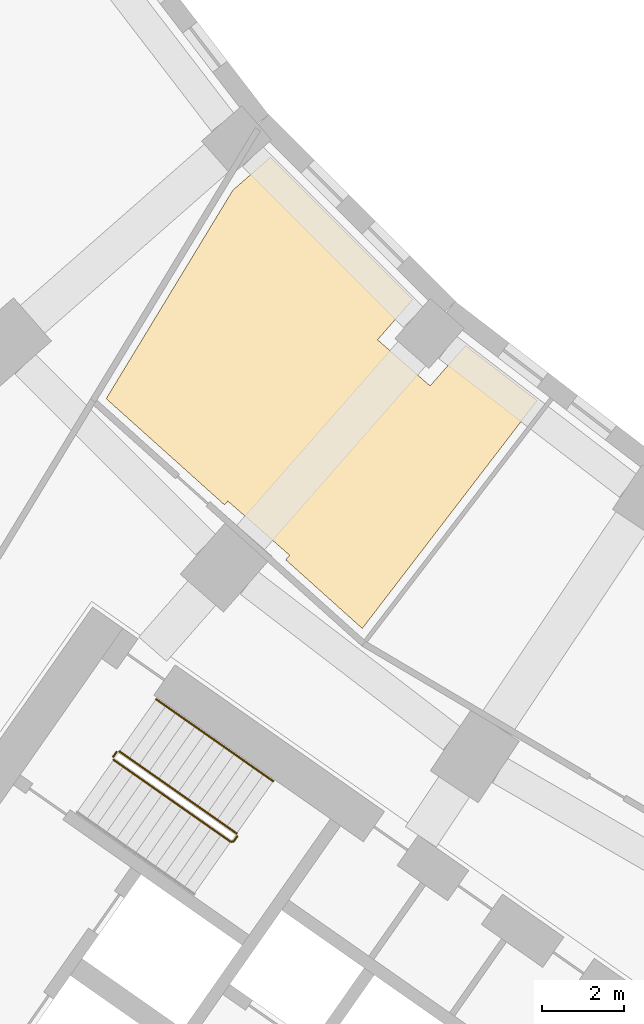
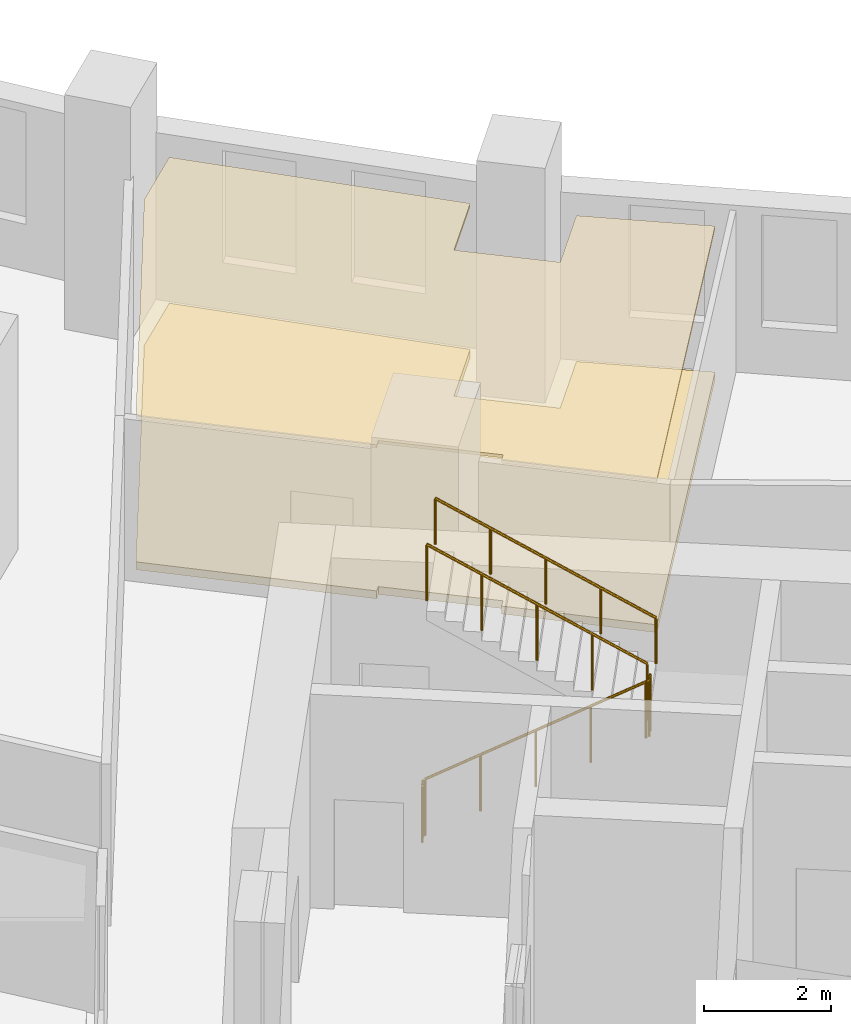
# One storey, part 17 of 20: 4 railings, 2 coverings.
"""IFC4 building model written with IfcOpenShell, lengths in metres."""

from ifc_helpers import new_model, si_unit, direction, frame, origin, origin_2d, place, context, subcontext, project, spatial, polyline, circle, outline, extrude, material, layer, layer_set, type_object, element, save


model = new_model("IFC4")

# Units and contexts
model_context = context("Model", 3, precision=1e-05, world=origin(), true_north=direction((0.0, 1.0)))
body_context = subcontext(model_context, "Body", "Model", "MODEL_VIEW")
ifc_project = project(units=[si_unit("LENGTHUNIT", "METRE"), si_unit("AREAUNIT", "SQUARE_METRE"), si_unit("VOLUMEUNIT", "CUBIC_METRE"), si_unit("PLANEANGLEUNIT", "RADIAN"), si_unit("MASSUNIT", "GRAM", prefix="KILO")], contexts=[model_context])

# Site, building, storey
site_placement = place(None, origin())
site = spatial("IfcSite", under=ifc_project, at=site_placement, CompositionType="ELEMENT")
building_placement = place(site_placement, origin())
building = spatial("IfcBuilding", under=site, at=building_placement, Name="Qamariyya Broadcast Tower", CompositionType="ELEMENT")
storey_placement = place(building_placement, frame((0.0, 0.0, 31.5)))
storey = spatial("IfcBuildingStorey", under=building, at=storey_placement, Name="L04", CompositionType="ELEMENT", Elevation=31.5)

# Covering
ifc_material_1 = material(Name="Raised access floor")
ifc_layer_1 = layer(ifc_material_1, 0.14990234375)
ifc_layer_set_1 = layer_set([ifc_layer_1], Name="Raised access floor 150")
covering_type_1 = type_object("IfcCoveringType", Name="Raised access floor 150", PredefinedType="FLOORING", material=ifc_layer_set_1)
covering_1_placement = place(storey_placement, origin())
element("IfcCovering", 1, at=covering_1_placement, inside=storey, type_object=covering_type_1, Name="Flooring L04-F08", PredefinedType="FLOORING", context=body_context, shape_type="SweptSolid", body=[
    extrude(outline(polyline([(-41.32666015625, -39.741943359375), (-38.247802734375, -34.6728515625), (-37.3291015625, -33.867431640625), (-33.867431640625, -37.3291015625), (-34.727294921875, -38.3095703125), (-33.44921875, -39.4306640625), (-32.589111328125, -38.449951171875), (-30.845458984375, -39.7880859375), (-35.0986328125, -45.330810546875), (-36.95947265625, -43.660888671875), (-36.86376953125, -43.5517578125), (-38.367431640625, -42.233154296875), (-38.4482421875, -42.324951171875), (-41.32666015625, -39.741943359375)])), origin(), (0.0, 0.0, 1.0), 0.14990234375),
])

# Railings
ifc_material_2 = material(Name="Painted steel", Category="steel")
railing_type_1 = type_object("IfcRailingType", Name="Stair guard", PredefinedType="GUARDRAIL", material=ifc_material_2)
railing_1_placement = place(storey_placement, frame((-41.146728515625, -48.52490234375, 0.173095703125)))
element("IfcRailing", 2, at=railing_1_placement, inside=storey, type_object=railing_type_1, Name="L04 ST-W2 stair guard 1", PredefinedType="GUARDRAIL", context=body_context, shape_type="SweptSolid", body=[
    extrude(circle(Radius=0.02392578125, at=origin_2d()), frame((0.0, 0.0, 1.076171875), z_axis=(0.703423072377, -0.49252265477, 0.512462111562), x_axis=(0.573561211868, 0.819162704376, 0.0)), (0.0, 0.0, 1.0), 4.052734375),
    extrude(circle(Radius=0.02392578125, at=origin_2d()), frame((2.850830078125, -1.99609375, 3.15283203125), z_axis=(0.984363469884, 0.176149252506, 0.0), x_axis=(-0.176149252506, 0.984363469884, 0.0)), (0.0, 0.0, 1.0), 0.07080078125),
    extrude(circle(Radius=0.02392578125, at=origin_2d()), frame((2.92041015625, -1.983642578125, 3.15283203125), z_axis=(0.573353020881, 0.819308436089, 0.0), x_axis=(-0.819308436089, 0.573353020881, 0.0)), (0.0, 0.0, 1.0), 0.14990234375),
    extrude(circle(Radius=0.02099609375, at=origin_2d()), origin(), (0.0, 0.0, 1.0), 1.052001953125),
    extrude(circle(Radius=0.02099609375, at=origin_2d()), frame((0.712646484375, -0.4990234375, 0.519287109375)), (0.0, 0.0, 1.0), 1.052001953125),
    extrude(circle(Radius=0.02099609375, at=origin_2d()), frame((1.42529296875, -0.998046875, 1.03857421875)), (0.0, 0.0, 1.0), 1.052001953125),
    extrude(circle(Radius=0.02099609375, at=origin_2d()), frame((2.13818359375, -1.4970703125, 1.5576171875)), (0.0, 0.0, 1.0), 1.052001953125),
    extrude(circle(Radius=0.02099609375, at=origin_2d()), frame((2.850830078125, -1.99609375, 2.076904296875)), (0.0, 0.0, 1.0), 1.052001953125),
    extrude(circle(Radius=0.02099609375, at=origin_2d()), frame((2.92041015625, -1.983642578125, 2.076904296875)), (0.0, 0.0, 1.0), 1.052001953125),
    extrude(circle(Radius=0.02099609375, at=origin_2d()), frame((3.00634765625, -1.86083984375, 2.076904296875)), (0.0, 0.0, 1.0), 1.052001953125),
])
railing_2_placement = place(storey_placement, frame((-38.152587890625, -50.316162109375, 2.423095703125)))
element("IfcRailing", 3, at=railing_2_placement, inside=storey, type_object=railing_type_1, Name="L04 ST-W2 stair guard 2", PredefinedType="GUARDRAIL", context=body_context, shape_type="SweptSolid", body=[
    extrude(circle(Radius=0.02392578125, at=origin_2d()), frame((0.0, 0.0, 1.076171875), z_axis=(-0.703392637411, 0.492543525477, 0.512483827206), x_axis=(-0.573594173421, -0.819139624372, 0.0)), (0.0, 0.0, 1.0), 4.052734375),
    extrude(circle(Radius=0.02099609375, at=origin_2d()), origin(), (0.0, 0.0, 1.0), 1.052001953125),
    extrude(circle(Radius=0.02099609375, at=origin_2d()), frame((-0.712646484375, 0.4990234375, 0.519287109375)), (0.0, 0.0, 1.0), 1.052001953125),
    extrude(circle(Radius=0.02099609375, at=origin_2d()), frame((-1.42529296875, 0.998046875, 1.03857421875)), (0.0, 0.0, 1.0), 1.052001953125),
    extrude(circle(Radius=0.02099609375, at=origin_2d()), frame((-2.137939453125, 1.4970703125, 1.5576171875)), (0.0, 0.0, 1.0), 1.052001953125),
    extrude(circle(Radius=0.02099609375, at=origin_2d()), frame((-2.8505859375, 1.99609375, 2.076904296875)), (0.0, 0.0, 1.0), 1.052001953125),
])
railing_3_placement = place(storey_placement, frame((-41.158935546875, -48.455322265625, 0.0)))
element("IfcRailing", 4, at=railing_3_placement, inside=storey, type_object=railing_type_1, Name="L04 ST-W2 stair guard 3", PredefinedType="GUARDRAIL", context=body_context, shape_type="SweptSolid", body=[
    extrude(circle(Radius=0.02392578125, at=origin_2d()), frame((0.0, 0.0, 1.076171875), z_axis=(0.572588637393, 0.819842821722, 0.0), x_axis=(-0.819842821722, 0.572588637393, 0.0)), (0.0, 0.0, 1.0), 0.150146484375),
    extrude(circle(Radius=0.02099609375, at=origin_2d()), origin(), (0.0, 0.0, 1.0), 1.052001953125),
    extrude(circle(Radius=0.02099609375, at=origin_2d()), frame((0.0859375, 0.123046875, 0.0)), (0.0, 0.0, 1.0), 1.052001953125),
])
ifc_material_3 = material(Name="Stainless steel", Category="steel")
railing_type_2 = type_object("IfcRailingType", Name="Stair handrail", PredefinedType="HANDRAIL", material=ifc_material_3)
railing_4_placement = place(storey_placement, frame((-37.263671875, -49.04638671875, 2.423095703125)))
element("IfcRailing", 5, at=railing_4_placement, inside=storey, type_object=railing_type_2, Name="L04 ST-W2 stair handrail 2", PredefinedType="HANDRAIL", context=body_context, shape_type="SweptSolid", body=[
    extrude(circle(Radius=0.02392578125, at=origin_2d()), frame((0.0, 0.0, 0.8759765625), z_axis=(-0.703392637411, 0.492543525477, 0.512483827206), x_axis=(-0.573594173421, -0.819139624372, 0.0)), (0.0, 0.0, 1.0), 4.052734375),
    extrude(circle(Radius=0.02099609375, at=origin_2d()), origin(), (0.0, 0.0, 1.0), 0.851806640625),
    extrude(circle(Radius=0.02099609375, at=origin_2d()), frame((-0.712646484375, 0.4990234375, 0.519287109375)), (0.0, 0.0, 1.0), 0.851806640625),
    extrude(circle(Radius=0.02099609375, at=origin_2d()), frame((-1.42529296875, 0.998046875, 1.03857421875)), (0.0, 0.0, 1.0), 0.851806640625),
    extrude(circle(Radius=0.02099609375, at=origin_2d()), frame((-2.137939453125, 1.4970703125, 1.5576171875)), (0.0, 0.0, 1.0), 0.851806640625),
    extrude(circle(Radius=0.02099609375, at=origin_2d()), frame((-2.8505859375, 1.99609375, 2.076904296875)), (0.0, 0.0, 1.0), 0.851806640625),
])

# Covering
ifc_material_4 = material(Name="Perforated plasterboard ceiling")
ifc_layer_2 = layer(ifc_material_4, 0.06005859375)
ifc_layer_set_2 = layer_set([ifc_layer_2], Name="Suspended acoustic ceiling 60")
covering_type_2 = type_object("IfcCoveringType", Name="Suspended acoustic ceiling 60", PredefinedType="CEILING", material=ifc_layer_set_2)
covering_2_placement = place(storey_placement, frame((0.0, 0.0, 2.889892578125)))
element("IfcCovering", 6, at=covering_2_placement, inside=storey, type_object=covering_type_2, Name="Ceiling L04-C10", PredefinedType="CEILING", context=body_context, shape_type="SweptSolid", body=[
    extrude(outline(polyline([(-41.32666015625, -39.741943359375), (-38.247802734375, -34.6728515625), (-37.3291015625, -33.867431640625), (-33.867431640625, -37.3291015625), (-34.727294921875, -38.3095703125), (-33.44921875, -39.4306640625), (-32.589111328125, -38.449951171875), (-30.845458984375, -39.7880859375), (-35.0986328125, -45.330810546875), (-36.95947265625, -43.660888671875), (-36.86376953125, -43.5517578125), (-38.367431640625, -42.233154296875), (-38.4482421875, -42.324951171875), (-41.32666015625, -39.741943359375)])), origin(), (0.0, 0.0, 1.0), 0.06005859375),
])

save(model, "model.ifc")
